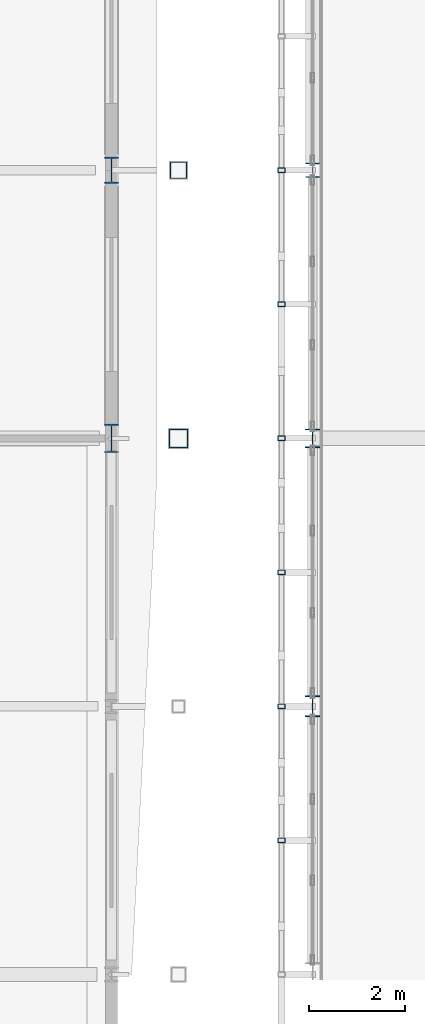
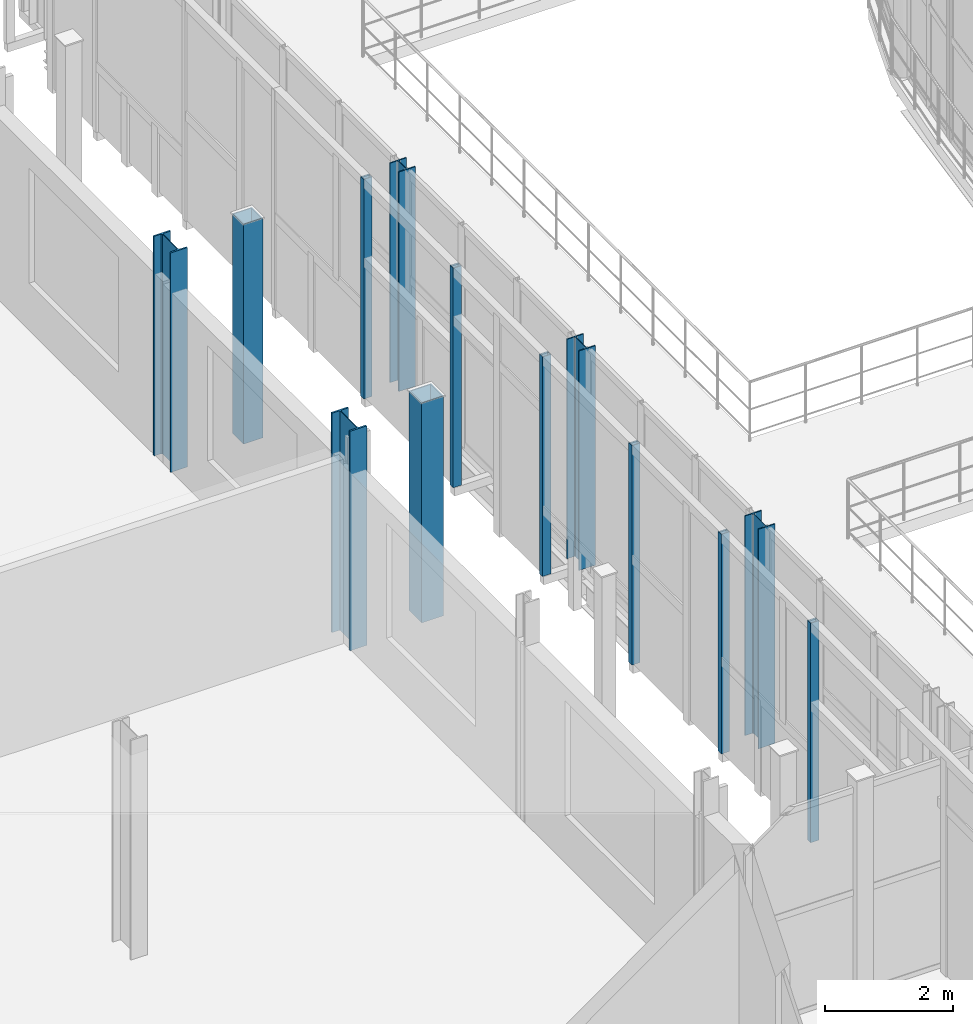
# One storey, part 6 of 138: 13 columns.
"""IFC4 building model written with IfcOpenShell, lengths in metres."""

from ifc_helpers import new_model, si_unit, direction, frame, origin, origin_2d, place, context, subcontext, project, spatial, hollow_rectangle, i_section, extrude, material, material_profile, profile_set, type_object, element, save


model = new_model("IFC4")

# Units and contexts
model_context = context("Model", 3, precision=1e-05, world=origin(), true_north=direction((0.0, 1.0)))
body_context = subcontext(model_context, "Body", "Model", "MODEL_VIEW")
ifc_project = project(units=[si_unit("LENGTHUNIT", "METRE"), si_unit("AREAUNIT", "SQUARE_METRE"), si_unit("VOLUMEUNIT", "CUBIC_METRE"), si_unit("PLANEANGLEUNIT", "RADIAN"), si_unit("MASSUNIT", "GRAM", prefix="KILO")], contexts=[model_context])

# Site, building, storey
site_placement = place(None, origin())
site = spatial("IfcSite", under=ifc_project, at=site_placement, CompositionType="ELEMENT")
building_placement = place(site_placement, origin())
building = spatial("IfcBuilding", under=site, at=building_placement, Name="Vinh Khe Railworks Police Headquarters", CompositionType="ELEMENT")
storey_placement = place(building_placement, frame((0.0, 0.0, 9.0)))
storey = spatial("IfcBuildingStorey", under=building, at=storey_placement, Name="L02", CompositionType="ELEMENT", Elevation=9.0)

# Columns
ifc_material = material(Name="Steel S355JR", Category="steel")
ifc_material_profile_1 = material_profile(ifc_material, hollow_rectangle(XDim=0.14990234375, YDim=0.10009765625, WallThickness=0.008056640625, at=origin_2d()), Name="RHS 150x100x8")
ifc_profile_set_1 = profile_set([ifc_material_profile_1], Name="Steel S355JR")
column_type_1 = type_object("IfcColumnType", Name="COL-QUILT-POST", PredefinedType="COLUMN", material=ifc_profile_set_1)
for number, where, z_axis, x_axis, name in (
    (1, (25.75, 33.60009765625, 0.0), (0.0, 0.0, 1.0), (1.0, 0.0, 0.0), "Patchwork Quilt Carrier Column W-4 (L02)"),
    (2, (25.75, 36.39990234375, 0.0), (0.0, 0.0, 1.0), (1.0, 0.0, 0.0), "Patchwork Quilt Carrier Column W-5 (L02)"),
    (3, (25.75, 39.199951171875, 0.0), (0.0, 0.0, 1.0), (1.0, 0.0, 0.0), "Patchwork Quilt Carrier Column W-6 (L02)"),
    (4, (25.75, 42.0, 0.0), (0.0, 0.0, 1.0), (1.0, 0.0, 0.0), "Patchwork Quilt Carrier Column W-7 (L02)"),
    (5, (25.75, 44.800048828125, 0.0), (0.0, 0.0, 1.0), (1.0, 0.0, 0.0), "Patchwork Quilt Carrier Column W-8 (L02)"),
    (6, (25.75, 47.60009765625, 0.0), (0.0, 0.0, 1.0), (1.0, 0.0, 0.0), "Patchwork Quilt Carrier Column W-9 (L02)"),
):
    element("IfcColumn", number, at=place(storey_placement, frame(where, z_axis=z_axis, x_axis=x_axis)), inside=storey, type_object=column_type_1, Name=name, PredefinedType="COLUMN", context=body_context, shape_type="SweptSolid", body=[
        extrude(hollow_rectangle(XDim=0.14990234375, YDim=0.10009765625, WallThickness=0.008056640625, at=origin_2d()), origin(), (0.0, 0.0, 1.0), 4.199951171875),
    ])
ifc_material_profile_2 = material_profile(ifc_material, i_section(OverallWidth=0.300048828125, OverallDepth=0.389892578125, WebThickness=0.010986328125, FlangeThickness=0.01904296875, FilletRadius=0.027099609375, at=origin_2d()), Name="HEA 400")
ifc_profile_set_2 = profile_set([ifc_material_profile_2], Name="Steel S355JR")
column_type_2 = type_object("IfcColumnType", Name="Steel Column HEA 400", PredefinedType="COLUMN", material=ifc_profile_set_2)
column_1_placement = place(storey_placement, frame((26.39990234375, 42.0, 0.0), z_axis=(0.0, 0.0, 1.0), x_axis=(1.0, 0.0, 0.0)))
element("IfcColumn", 7, at=column_1_placement, inside=storey, type_object=column_type_2, Name="Column COL-L02-SC-15-0740", PredefinedType="COLUMN", context=body_context, shape_type="SweptSolid", body=[
    extrude(i_section(OverallWidth=0.300048828125, OverallDepth=0.389892578125, WebThickness=0.010986328125, FlangeThickness=0.01904296875, FilletRadius=0.027099609375, at=origin_2d()), origin(), (0.0, 0.0, 1.0), 4.199951171875),
])
ifc_material_profile_3 = material_profile(ifc_material, i_section(OverallWidth=0.300048828125, OverallDepth=0.43994140625, WebThickness=0.011474609375, FlangeThickness=0.02099609375, FilletRadius=0.027099609375, at=origin_2d()), Name="HEA 450")
ifc_profile_set_3 = profile_set([ifc_material_profile_3], Name="Steel S355JR")
column_type_3 = type_object("IfcColumnType", Name="Steel Column HEA 450", PredefinedType="COLUMN", material=ifc_profile_set_3)
column_2_placement = place(storey_placement, frame((26.39990234375, 36.39990234375, 0.0), z_axis=(0.0, 0.0, 1.0), x_axis=(1.0, 0.0, 0.0)))
element("IfcColumn", 8, at=column_2_placement, inside=storey, type_object=column_type_3, Name="Column COL-L02-SC-14-0735", PredefinedType="COLUMN", context=body_context, shape_type="SweptSolid", body=[
    extrude(i_section(OverallWidth=0.300048828125, OverallDepth=0.43994140625, WebThickness=0.011474609375, FlangeThickness=0.02099609375, FilletRadius=0.027099609375, at=origin_2d()), origin(), (0.0, 0.0, 1.0), 4.199951171875),
])
ifc_material_profile_4 = material_profile(ifc_material, i_section(OverallWidth=0.300048828125, OverallDepth=0.300048828125, WebThickness=0.010986328125, FlangeThickness=0.01904296875, FilletRadius=0.027099609375, at=origin_2d()), Name="HEB 300")
ifc_profile_set_4 = profile_set([ifc_material_profile_4], Name="Steel S355JR")
column_type_4 = type_object("IfcColumnType", Name="Steel Column HEB 300", PredefinedType="COLUMN", material=ifc_profile_set_4)
column_3_placement = place(storey_placement, frame((26.39990234375, 47.60009765625, 0.0), z_axis=(0.0, 0.0, 1.0), x_axis=(1.0, 0.0, 0.0)))
element("IfcColumn", 9, at=column_3_placement, inside=storey, type_object=column_type_4, Name="Column COL-L02-SC-11-0745", PredefinedType="COLUMN", context=body_context, shape_type="SweptSolid", body=[
    extrude(i_section(OverallWidth=0.300048828125, OverallDepth=0.300048828125, WebThickness=0.010986328125, FlangeThickness=0.01904296875, FilletRadius=0.027099609375, at=origin_2d()), origin(), (0.0, 0.0, 1.0), 4.199951171875),
])
ifc_material_profile_5 = material_profile(ifc_material, i_section(OverallWidth=0.300048828125, OverallDepth=0.550048828125, WebThickness=0.014892578125, FlangeThickness=0.029052734375, FilletRadius=0.027099609375, at=origin_2d()), Name="HEB 550")
ifc_profile_set_5 = profile_set([ifc_material_profile_5], Name="Steel S355JR")
column_type_5 = type_object("IfcColumnType", Name="Steel Column HEB 550", PredefinedType="COLUMN", material=ifc_profile_set_5)
column_4_placement = place(storey_placement, frame((22.199951171875, 47.60009765625, 0.0), z_axis=(0.0, 0.0, 1.0), x_axis=(1.0, 0.0, 0.0)))
element("IfcColumn", 10, at=column_4_placement, inside=storey, type_object=column_type_5, Name="Column COL-L02-SC-05-0556", PredefinedType="COLUMN", context=body_context, shape_type="SweptSolid", body=[
    extrude(i_section(OverallWidth=0.300048828125, OverallDepth=0.550048828125, WebThickness=0.014892578125, FlangeThickness=0.029052734375, FilletRadius=0.027099609375, at=origin_2d()), origin(), (0.0, 0.0, 1.0), 4.199951171875),
])
ifc_material_profile_6 = material_profile(ifc_material, i_section(OverallWidth=0.300048828125, OverallDepth=0.60009765625, WebThickness=0.015380859375, FlangeThickness=0.030029296875, FilletRadius=0.027099609375, at=origin_2d()), Name="HEB 600")
ifc_profile_set_6 = profile_set([ifc_material_profile_6], Name="Steel S355JR")
column_type_6 = type_object("IfcColumnType", Name="Steel Column HEB 600", PredefinedType="COLUMN", material=ifc_profile_set_6)
column_5_placement = place(storey_placement, frame((22.199951171875, 42.0, 0.0), z_axis=(0.0, 0.0, 1.0), x_axis=(1.0, 0.0, 0.0)))
element("IfcColumn", 11, at=column_5_placement, inside=storey, type_object=column_type_6, Name="Column COL-L02-SC-04-0547", PredefinedType="COLUMN", context=body_context, shape_type="SweptSolid", body=[
    extrude(i_section(OverallWidth=0.300048828125, OverallDepth=0.60009765625, WebThickness=0.015380859375, FlangeThickness=0.030029296875, FilletRadius=0.027099609375, at=origin_2d()), origin(), (0.0, 0.0, 1.0), 4.199951171875),
])
ifc_material_profile_7 = material_profile(ifc_material, hollow_rectangle(XDim=0.35009765625, YDim=0.35009765625, WallThickness=0.01611328125, at=origin_2d()), Name="SHS 350x350x16")
ifc_profile_set_7 = profile_set([ifc_material_profile_7], Name="Steel S355JR")
column_type_7 = type_object("IfcColumnType", Name="Steel Column SHS 350x350x16", PredefinedType="COLUMN", material=ifc_profile_set_7)
column_6_placement = place(storey_placement, frame((23.60009765625, 47.60009765625, 0.0), z_axis=(0.0, 0.0, 1.0), x_axis=(1.0, 0.0, 0.0)))
element("IfcColumn", 12, at=column_6_placement, inside=storey, type_object=column_type_7, Name="Column COL-L02-SC-22-0683", PredefinedType="COLUMN", context=body_context, shape_type="SweptSolid", body=[
    extrude(hollow_rectangle(XDim=0.35009765625, YDim=0.35009765625, WallThickness=0.01611328125, at=origin_2d()), origin(), (0.0, 0.0, 1.0), 4.199951171875),
])
ifc_material_profile_8 = material_profile(ifc_material, hollow_rectangle(XDim=0.39990234375, YDim=0.39990234375, WallThickness=0.02001953125, at=origin_2d()), Name="SHS 400x400x20")
ifc_profile_set_8 = profile_set([ifc_material_profile_8], Name="Steel S355JR")
column_type_8 = type_object("IfcColumnType", Name="Steel Column SHS 400x400x20", PredefinedType="COLUMN", material=ifc_profile_set_8)
column_7_placement = place(storey_placement, frame((23.60009765625, 42.0, 0.0), z_axis=(0.0, 0.0, 1.0), x_axis=(1.0, 0.0, 0.0)))
element("IfcColumn", 13, at=column_7_placement, inside=storey, type_object=column_type_8, Name="Column COL-L02-SC-21-0678", PredefinedType="COLUMN", context=body_context, shape_type="SweptSolid", body=[
    extrude(hollow_rectangle(XDim=0.39990234375, YDim=0.39990234375, WallThickness=0.02001953125, at=origin_2d()), origin(), (0.0, 0.0, 1.0), 4.199951171875),
])

save(model, "model.ifc")
